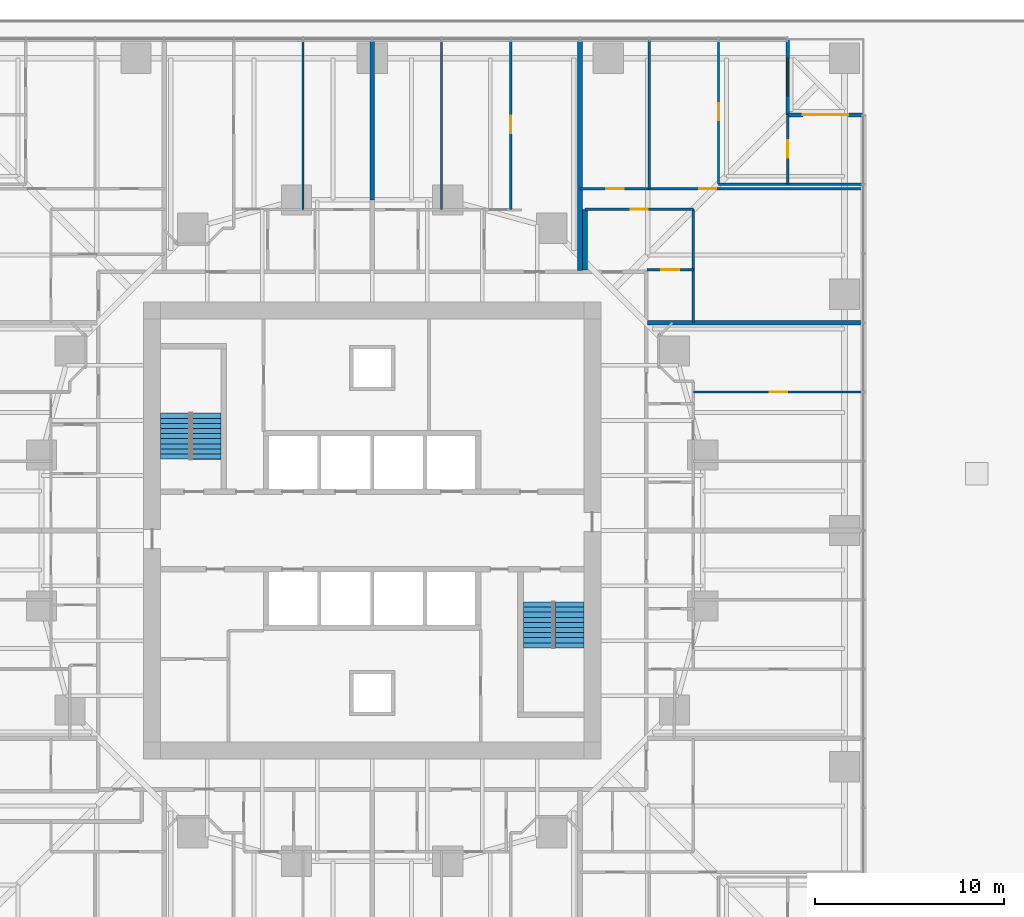
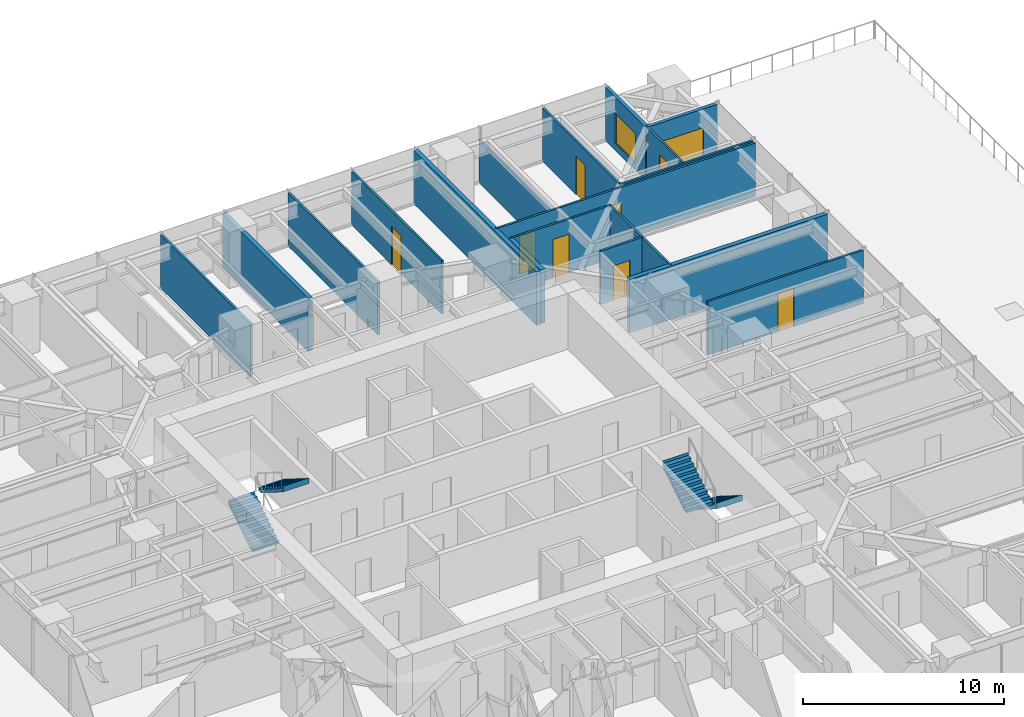
# One storey, part 13 of 15: 18 walls, 9 doors, 4 stair flights, 1 window, 10 openings, 2 elements without a shape of their own.
"""IFC4 building model written with IfcOpenShell, lengths in metres."""

from ifc_helpers import new_model, si_unit, direction, frame, frame_2d, origin, place, context, subcontext, project, spatial, polyline, rectangle, outline, extrude, material, layer, layer_set, type_object, element, fill, aggregate, save


model = new_model("IFC4")

# Units and contexts
model_context = context("Model", 3, precision=1e-05, world=origin(), true_north=direction((0.0, 1.0)))
body_context = subcontext(model_context, "Body", "Model", "MODEL_VIEW")
ifc_project = project(units=[si_unit("LENGTHUNIT", "METRE"), si_unit("AREAUNIT", "SQUARE_METRE"), si_unit("VOLUMEUNIT", "CUBIC_METRE"), si_unit("PLANEANGLEUNIT", "RADIAN"), si_unit("MASSUNIT", "GRAM", prefix="KILO")], contexts=[model_context])

# Site, building, storey
site_placement = place(None, origin())
site = spatial("IfcSite", under=ifc_project, at=site_placement, CompositionType="ELEMENT")
building_placement = place(site_placement, origin())
building = spatial("IfcBuilding", under=site, at=building_placement, Name="Torsade Residences", CompositionType="ELEMENT")
storey_placement = place(building_placement, frame((0.0, 0.0, 15.0)))
storey = spatial("IfcBuildingStorey", under=building, at=storey_placement, Name="L03", CompositionType="ELEMENT", Elevation=15.0)

# Wall, opening, door
ifc_material_1 = material(Name="Plasterboard on steel stud", Category="steel")
ifc_layer_1 = layer(ifc_material_1, 0.1201171875)
ifc_layer_set_1 = layer_set([ifc_layer_1], Name="Plasterboard on steel stud")
wall_type_1 = type_object("IfcWallType", Name="PARTITION 120", PredefinedType="PARTITIONING", material=ifc_layer_set_1)
wall_1_placement = place(storey_placement, frame((65.9599609375, 37.333251953125, 0.0), z_axis=(0.0, 0.0, 1.0), x_axis=(-1.0, 0.0, 0.0)))
wall_1 = element("IfcWall", 1, at=wall_1_placement, inside=storey, type_object=wall_type_1, Name="Partition L03", PredefinedType="PARTITIONING", context=body_context, shape_type="SweptSolid", body=[
    extrude(rectangle(XDim=8.9599609375, YDim=0.1201171875, at=frame_2d((4.47998046875, 0.0))), origin(), (0.0, 0.0, 1.0), 3.25),
])
opening_1_placement = place(wall_1_placement, frame((4.0, 0.0, 0.0)))
opening_1 = element("IfcOpeningElement", 2, at=opening_1_placement, cuts=wall_1, Name="Opening D02", PredefinedType="OPENING", context=body_context, shape_type="SweptSolid", body=[
    extrude(rectangle(XDim=0.919921875, YDim=2.340087890625, at=frame_2d((0.4599609375, 1.169921875))), frame((0.0, 0.070068359375, 0.0), z_axis=(0.0, -1.0, 0.0), x_axis=(1.0, 0.0, 0.0)), (0.0, 0.0, 1.0), 0.14013671875),
])
ifc_material_2 = material(Name="Hollow-core timber door", Category="wood")
door_type_1 = type_object("IfcDoorType", Name="INTERNAL DOOR 920x2340", OperationType="NOTDEFINED", PredefinedType="DOOR", material=ifc_material_2)
door_1_placement = place(opening_1_placement, origin())
door_1 = element("IfcDoor", 3, at=door_1_placement, inside=storey, type_object=door_type_1, Name="Door Bedroom 2 to Bedroom 1", OperationType="SINGLE_SWING_LEFT", OverallHeight=2.340087890625, OverallWidth=0.919921875, PredefinedType="DOOR", context=body_context, shape_type="SweptSolid", body=[
    extrude(rectangle(XDim=0.919921875, YDim=2.340087890625, at=frame_2d((0.4599609375, 1.169921875))), frame((0.0, 0.02490234375, 0.0), z_axis=(0.0, -1.0, 0.0), x_axis=(1.0, 0.0, 0.0)), (0.0, 0.0, 1.0), 0.050048828125),
])
fill(opening_1, door_1)

wall_2_placement = place(storey_placement, frame((57.0, 43.800048828125, 0.0), z_axis=(0.0, 0.0, 1.0), x_axis=(-1.0, 0.0, 0.0)))
wall_2 = element("IfcWall", 4, at=wall_2_placement, inside=storey, type_object=wall_type_1, Name="Partition L03", PredefinedType="PARTITIONING", context=body_context, shape_type="SweptSolid", body=[
    extrude(rectangle(XDim=2.449951171875, YDim=0.1201171875, at=frame_2d((1.22509765625, 0.0))), origin(), (0.0, 0.0, 1.0), 3.25),
])
opening_2_placement = place(wall_2_placement, frame((0.7451171875, 0.0, 0.0)))
opening_2 = element("IfcOpeningElement", 5, at=opening_2_placement, cuts=wall_2, Name="Opening D05", PredefinedType="OPENING", context=body_context, shape_type="SweptSolid", body=[
    extrude(rectangle(XDim=0.9599609375, YDim=2.10009765625, at=frame_2d((0.47998046875, 1.050048828125))), frame((0.0, 0.070068359375, 0.0), z_axis=(0.0, -1.0, 0.0), x_axis=(1.0, 0.0, 0.0)), (0.0, 0.0, 1.0), 0.14013671875),
])
ifc_material_3 = material(Name="Hollow-core timber door in a steel cavity frame", Category="steel")
door_type_2 = type_object("IfcDoorType", Name="BATHROOM CAVITY SLIDING DOOR 960", OperationType="SLIDING_TO_LEFT", PredefinedType="DOOR", material=ifc_material_3)
door_2_placement = place(opening_2_placement, origin())
door_2 = element("IfcDoor", 6, at=door_2_placement, inside=storey, type_object=door_type_2, Name="Door Kitchen and dining to Bathroom", OperationType="SLIDING_TO_LEFT", OverallHeight=2.10009765625, OverallWidth=0.9599609375, PredefinedType="DOOR", context=body_context, shape_type="SweptSolid", body=[
    extrude(rectangle(XDim=0.9599609375, YDim=2.10009765625, at=frame_2d((0.47998046875, 1.050048828125))), frame((0.0, 0.02490234375, 0.0), z_axis=(0.0, -1.0, 0.0), x_axis=(1.0, 0.0, 0.0)), (0.0, 0.0, 1.0), 0.050048828125),
])
fill(opening_2, door_2)

wall_3_placement = place(storey_placement, frame((51.267578125, 47.0, 0.0), z_axis=(0.0, 0.0, 1.0), x_axis=(1.0, 0.0, 0.0)))
wall_3 = element("IfcWall", 7, at=wall_3_placement, inside=storey, type_object=wall_type_1, Name="Partition L03", PredefinedType="PARTITIONING", context=body_context, shape_type="SweptSolid", body=[
    extrude(rectangle(XDim=5.732421875, YDim=0.1201171875, at=frame_2d((2.8662109375, 0.0))), origin(), (0.0, 0.0, 1.0), 3.25),
])
opening_3_placement = place(wall_3_placement, frame((2.40625, 0.0, 0.0)))
opening_3 = element("IfcOpeningElement", 8, at=opening_3_placement, cuts=wall_3, Name="Opening D02", PredefinedType="OPENING", context=body_context, shape_type="SweptSolid", body=[
    extrude(rectangle(XDim=0.919921875, YDim=2.340087890625, at=frame_2d((0.4599609375, 1.169921875))), frame((0.0, 0.070068359375, 0.0), z_axis=(0.0, -1.0, 0.0), x_axis=(1.0, 0.0, 0.0)), (0.0, 0.0, 1.0), 0.14013671875),
])
door_3_placement = place(opening_3_placement, origin())
door_3 = element("IfcDoor", 9, at=door_3_placement, inside=storey, type_object=door_type_1, Name="Door Kitchen and dining to Living room", OperationType="SINGLE_SWING_LEFT", OverallHeight=2.340087890625, OverallWidth=0.919921875, PredefinedType="DOOR", context=body_context, shape_type="SweptSolid", body=[
    extrude(rectangle(XDim=0.919921875, YDim=2.340087890625, at=frame_2d((0.4599609375, 1.169921875))), frame((0.0, 0.02490234375, 0.0), z_axis=(0.0, -1.0, 0.0), x_axis=(1.0, 0.0, 0.0)), (0.0, 0.0, 1.0), 0.050048828125),
])
fill(opening_3, door_3)

# Wall
wall_4_placement = place(storey_placement, frame((57.0, 47.0, 0.0), z_axis=(0.0, 0.0, 1.0), x_axis=(0.0, -1.0, 0.0)))
element("IfcWall", 10, at=wall_4_placement, inside=storey, type_object=wall_type_1, Name="Partition L03", PredefinedType="PARTITIONING", context=body_context, shape_type="SweptSolid", body=[
    extrude(rectangle(XDim=6.0, YDim=0.1201171875, at=frame_2d((3.0, 0.0))), origin(), (0.0, 0.0, 1.0), 3.25),
])

# Wall, openings, doors
wall_5_placement = place(storey_placement, frame((51.0, 48.089111328125, 0.0), z_axis=(0.0, 0.0, 1.0), x_axis=(1.0, 0.0, 0.0)))
wall_5 = element("IfcWall", 11, at=wall_5_placement, inside=storey, type_object=wall_type_1, Name="Partition L03", PredefinedType="PARTITIONING", context=body_context, shape_type="SweptSolid", body=[
    extrude(rectangle(XDim=14.9599609375, YDim=0.1201171875, at=frame_2d((7.47998046875, 0.0))), origin(), (0.0, 0.0, 1.0), 3.25),
])
opening_4_placement = place(wall_5_placement, frame((6.29833984375, 0.0, 0.0)))
opening_4 = element("IfcOpeningElement", 12, at=opening_4_placement, cuts=wall_5, Name="Opening D02", PredefinedType="OPENING", context=body_context, shape_type="SweptSolid", body=[
    extrude(rectangle(XDim=0.919921875, YDim=2.340087890625, at=frame_2d((0.4599609375, 1.169921875))), frame((0.0, 0.070068359375, 0.0), z_axis=(0.0, -1.0, 0.0), x_axis=(1.0, 0.0, 0.0)), (0.0, 0.0, 1.0), 0.14013671875),
])
opening_5_placement = place(wall_5_placement, frame((1.3984375, 0.0, 0.0)))
opening_5 = element("IfcOpeningElement", 13, at=opening_5_placement, cuts=wall_5, Name="Opening D02", PredefinedType="OPENING", context=body_context, shape_type="SweptSolid", body=[
    extrude(rectangle(XDim=0.919921875, YDim=2.340087890625, at=frame_2d((0.4599609375, 1.169921875))), frame((0.0, 0.070068359375, 0.0), z_axis=(0.0, -1.0, 0.0), x_axis=(1.0, 0.0, 0.0)), (0.0, 0.0, 1.0), 0.14013671875),
])
door_4_placement = place(opening_4_placement, origin())
door_4 = element("IfcDoor", 14, at=door_4_placement, inside=storey, type_object=door_type_1, Name="Door Living room to Bedroom 1", OperationType="SINGLE_SWING_LEFT", OverallHeight=2.340087890625, OverallWidth=0.919921875, PredefinedType="DOOR", context=body_context, shape_type="SweptSolid", body=[
    extrude(rectangle(XDim=0.919921875, YDim=2.340087890625, at=frame_2d((0.4599609375, 1.169921875))), frame((0.0, 0.02490234375, 0.0), z_axis=(0.0, -1.0, 0.0), x_axis=(1.0, 0.0, 0.0)), (0.0, 0.0, 1.0), 0.050048828125),
])
fill(opening_4, door_4)
door_5_placement = place(opening_5_placement, origin())
door_5 = element("IfcDoor", 15, at=door_5_placement, inside=storey, type_object=door_type_1, Name="Door Living room to Bedroom 2", OperationType="SINGLE_SWING_LEFT", OverallHeight=2.340087890625, OverallWidth=0.919921875, PredefinedType="DOOR", context=body_context, shape_type="SweptSolid", body=[
    extrude(rectangle(XDim=0.919921875, YDim=2.340087890625, at=frame_2d((0.4599609375, 1.169921875))), frame((0.0, 0.02490234375, 0.0), z_axis=(0.0, -1.0, 0.0), x_axis=(1.0, 0.0, 0.0)), (0.0, 0.0, 1.0), 0.050048828125),
])
fill(opening_5, door_5)

# Wall
wall_6_placement = place(storey_placement, frame((54.666748046875, 48.089111328125, 0.0), z_axis=(0.0, 0.0, 1.0), x_axis=(0.0, 1.0, 0.0)))
element("IfcWall", 16, at=wall_6_placement, inside=storey, type_object=wall_type_1, Name="Partition L03", PredefinedType="PARTITIONING", context=body_context, shape_type="SweptSolid", body=[
    extrude(rectangle(XDim=7.870849609375, YDim=0.1201171875, at=frame_2d((3.935546875, 0.0))), origin(), (0.0, 0.0, 1.0), 2.636962890625),
])

# Wall, opening, door
wall_7_placement = place(storey_placement, frame((58.333251953125, 55.9599609375, 0.0), z_axis=(0.0, 0.0, 1.0), x_axis=(0.0, -1.0, 0.0)))
wall_7 = element("IfcWall", 17, at=wall_7_placement, inside=storey, type_object=wall_type_1, Name="Partition L03", PredefinedType="PARTITIONING", context=body_context, shape_type="SweptSolid", body=[
    extrude(rectangle(XDim=7.626708984375, YDim=0.1201171875, at=frame_2d((3.8134765625, 0.0))), origin(), (0.0, 0.0, 1.0), 3.25),
])
opening_6_placement = place(wall_7_placement, frame((3.333251953125, 0.0, 0.0)))
opening_6 = element("IfcOpeningElement", 18, at=opening_6_placement, cuts=wall_7, Name="Opening D02", PredefinedType="OPENING", context=body_context, shape_type="SweptSolid", body=[
    extrude(rectangle(XDim=0.919921875, YDim=2.340087890625, at=frame_2d((0.4599609375, 1.169921875))), frame((0.0, 0.070068359375, 0.0), z_axis=(0.0, -1.0, 0.0), x_axis=(1.0, 0.0, 0.0)), (0.0, 0.0, 1.0), 0.14013671875),
])
door_6_placement = place(opening_6_placement, origin())
door_6 = element("IfcDoor", 19, at=door_6_placement, inside=storey, type_object=door_type_1, Name="Door Bedroom 1 to Study", OperationType="SINGLE_SWING_RIGHT", OverallHeight=2.340087890625, OverallWidth=0.919921875, PredefinedType="DOOR", context=body_context, shape_type="SweptSolid", body=[
    extrude(rectangle(XDim=0.919921875, YDim=2.340087890625, at=frame_2d((0.4599609375, 1.169921875))), frame((0.0, 0.02490234375, 0.0), z_axis=(0.0, -1.0, 0.0), x_axis=(1.0, 0.0, 0.0)), (0.0, 0.0, 1.0), 0.050048828125),
])
fill(opening_6, door_6)

# Wall
wall_8_placement = place(storey_placement, frame((58.333251953125, 48.333251953125, 0.0), z_axis=(0.0, 0.0, 1.0), x_axis=(1.0, 0.0, 0.0)))
element("IfcWall", 20, at=wall_8_placement, inside=storey, type_object=wall_type_1, Name="Partition L03", PredefinedType="PARTITIONING", context=body_context, shape_type="SweptSolid", body=[
    extrude(rectangle(XDim=7.626708984375, YDim=0.1201171875, at=frame_2d((3.8134765625, 0.0))), origin(), (0.0, 0.0, 1.0), 3.25),
])

# Wall, opening, door
wall_9_placement = place(storey_placement, frame((62.0, 51.9599609375, 0.0), z_axis=(0.0, 0.0, 1.0), x_axis=(0.0, -1.0, 0.0)))
wall_9 = element("IfcWall", 21, at=wall_9_placement, inside=storey, type_object=wall_type_1, Name="Partition L03", PredefinedType="PARTITIONING", context=body_context, shape_type="SweptSolid", body=[
    extrude(rectangle(XDim=3.626708984375, YDim=0.1201171875, at=frame_2d((1.8134765625, 0.0))), origin(), (0.0, 0.0, 1.0), 3.25),
])
opening_7_placement = place(wall_9_placement, frame((1.308349609375, 0.0, 0.0)))
opening_7 = element("IfcOpeningElement", 22, at=opening_7_placement, cuts=wall_9, Name="Opening D02", PredefinedType="OPENING", context=body_context, shape_type="SweptSolid", body=[
    extrude(rectangle(XDim=0.919921875, YDim=2.340087890625, at=frame_2d((0.4599609375, 1.169921875))), frame((0.0, 0.070068359375, 0.0), z_axis=(0.0, -1.0, 0.0), x_axis=(1.0, 0.0, 0.0)), (0.0, 0.0, 1.0), 0.14013671875),
])
door_7_placement = place(opening_7_placement, origin())
door_7 = element("IfcDoor", 23, at=door_7_placement, inside=storey, type_object=door_type_1, Name="Door Study to Family room", OperationType="SINGLE_SWING_RIGHT", OverallHeight=2.340087890625, OverallWidth=0.919921875, PredefinedType="DOOR", context=body_context, shape_type="SweptSolid", body=[
    extrude(rectangle(XDim=0.919921875, YDim=2.340087890625, at=frame_2d((0.4599609375, 1.169921875))), frame((0.0, 0.02490234375, 0.0), z_axis=(0.0, -1.0, 0.0), x_axis=(1.0, 0.0, 0.0)), (0.0, 0.0, 1.0), 0.050048828125),
])
fill(opening_7, door_7)

wall_10_placement = place(storey_placement, frame((47.333251953125, 47.0, 0.0), z_axis=(0.0, 0.0, 1.0), x_axis=(0.0, 1.0, 0.0)))
wall_10 = element("IfcWall", 24, at=wall_10_placement, inside=storey, type_object=wall_type_1, Name="Partition L03", PredefinedType="PARTITIONING", context=body_context, shape_type="SweptSolid", body=[
    extrude(rectangle(XDim=8.9599609375, YDim=0.1201171875, at=frame_2d((4.47998046875, 0.0))), origin(), (0.0, 0.0, 1.0), 3.25),
])
opening_8_placement = place(wall_10_placement, frame((4.0400390625, 0.0, 0.0)))
opening_8 = element("IfcOpeningElement", 25, at=opening_8_placement, cuts=wall_10, Name="Opening D02", PredefinedType="OPENING", context=body_context, shape_type="SweptSolid", body=[
    extrude(rectangle(XDim=0.919921875, YDim=2.340087890625, at=frame_2d((0.4599609375, 1.169921875))), frame((0.0, 0.070068359375, 0.0), z_axis=(0.0, -1.0, 0.0), x_axis=(1.0, 0.0, 0.0)), (0.0, 0.0, 1.0), 0.14013671875),
])
door_8_placement = place(opening_8_placement, origin())
door_8 = element("IfcDoor", 26, at=door_8_placement, inside=storey, type_object=door_type_1, Name="Door Bedroom 2 to Living room", OperationType="SINGLE_SWING_LEFT", OverallHeight=2.340087890625, OverallWidth=0.919921875, PredefinedType="DOOR", context=body_context, shape_type="SweptSolid", body=[
    extrude(rectangle(XDim=0.919921875, YDim=2.340087890625, at=frame_2d((0.4599609375, 1.169921875))), frame((0.0, 0.02490234375, 0.0), z_axis=(0.0, -1.0, 0.0), x_axis=(1.0, 0.0, 0.0)), (0.0, 0.0, 1.0), 0.050048828125),
])
fill(opening_8, door_8)

# Walls
for number, where, z_axis, x_axis, name in (
    (27, (43.666748046875, 55.9599609375, 0.0), (0.0, 0.0, 1.0), (0.0, -1.0, 0.0), "Partition L03"),
    (28, (36.333251953125, 47.0, 0.0), (0.0, 0.0, 1.0), (0.0, 1.0, 0.0), "Partition L03"),
):
    element("IfcWall", number, at=place(storey_placement, frame(where, z_axis=z_axis, x_axis=x_axis)), inside=storey, type_object=wall_type_1, Name=name, PredefinedType="PARTITIONING", context=body_context, shape_type="SweptSolid", body=[
        extrude(rectangle(XDim=8.9599609375, YDim=0.1201171875, at=frame_2d((4.47998046875, 0.0))), origin(), (0.0, 0.0, 1.0), 3.25),
    ])
ifc_material_4 = material(Name="Masonry-lined stud party wall", Category="masonry")
ifc_layer_2 = layer(ifc_material_4, 0.25)
ifc_layer_set_2 = layer_set([ifc_layer_2], Name="Masonry-lined stud party wall")
wall_type_2 = type_object("IfcWallType", Name="PARTY WALL 250", PredefinedType="PARTITIONING", material=ifc_layer_set_2)
wall_11_placement = place(storey_placement, frame((66.0, 41.0, 0.0), z_axis=(0.0, 0.0, 1.0), x_axis=(-1.0, 0.0, 0.0)))
element("IfcWall", 29, at=wall_11_placement, inside=storey, type_object=wall_type_2, Name="Party wall L03", PredefinedType="PARTITIONING", context=body_context, shape_type="SweptSolid", body=[
    extrude(rectangle(XDim=11.43994140625, YDim=0.25, at=frame_2d((5.719970703125, 0.0))), origin(), (0.0, 0.0, 1.0), 3.25),
])
wall_12_placement = place(storey_placement, frame((51.0, 56.0, 0.0), z_axis=(0.0, 0.0, 1.0), x_axis=(0.0, -1.0, 0.0)))
element("IfcWall", 30, at=wall_12_placement, inside=storey, type_object=wall_type_2, Name="Party wall L03", PredefinedType="PARTITIONING", context=body_context, shape_type="SweptSolid", body=[
    extrude(rectangle(XDim=12.239990234375, YDim=0.25, at=frame_2d((6.1201171875, 0.0))), origin(), (0.0, 0.0, 1.0), 3.25),
])
wall_13_placement = place(storey_placement, frame((40.0, 56.0, 0.0), z_axis=(0.0, 0.0, 1.0), x_axis=(0.0, -1.0, 0.0)))
element("IfcWall", 31, at=wall_13_placement, inside=storey, type_object=wall_type_2, Name="Party wall L03", PredefinedType="PARTITIONING", context=body_context, shape_type="SweptSolid", body=[
    extrude(rectangle(XDim=8.5, YDim=0.25, at=frame_2d((4.25, 0.0))), origin(), (0.0, 0.0, 1.0), 3.25),
])
wall_14_placement = place(storey_placement, frame((51.267578125, 43.800048828125, 0.0), z_axis=(0.0, 0.0, 1.0), x_axis=(0.0, 1.0, 0.0)))
element("IfcWall", 32, at=wall_14_placement, inside=storey, type_object=wall_type_2, Name="Party wall L03", PredefinedType="PARTITIONING", context=body_context, shape_type="SweptSolid", body=[
    extrude(rectangle(XDim=3.199951171875, YDim=0.25, at=frame_2d((1.60009765625, 0.0))), origin(), (0.0, 0.0, 1.0), 3.25),
])

# Wall, opening, door
ifc_material_5 = material(Name="Stone-faced precast concrete 40 MPa panel", Category="masonry")
ifc_layer_3 = layer(ifc_material_5, 0.199951171875)
ifc_layer_set_3 = layer_set([ifc_layer_3], Name="Stone-faced precast concrete 40 MPa panel")
wall_type_3 = type_object("IfcWallType", Name="TERRACE WALL 200", PredefinedType="SOLIDWALL", material=ifc_layer_set_3)
wall_15_placement = place(storey_placement, frame((66.0, 52.0, 0.0), z_axis=(0.0, 0.0, 1.0), x_axis=(-1.0, 0.0, 0.0)))
wall_15 = element("IfcWall", 33, at=wall_15_placement, inside=storey, type_object=wall_type_3, Name="Terrace wall L03 5", PredefinedType="SOLIDWALL", context=body_context, shape_type="SweptSolid", body=[
    extrude(rectangle(XDim=4.0, YDim=0.199951171875, at=frame_2d((2.0, 0.0))), origin(), (0.0, 0.0, 1.0), 3.25),
])
opening_9_placement = place(wall_15_placement, frame((0.800048828125, 0.0, 0.0)))
opening_9 = element("IfcOpeningElement", 34, at=opening_9_placement, cuts=wall_15, Name="Opening D10A", PredefinedType="OPENING", context=body_context, shape_type="SweptSolid", body=[
    extrude(rectangle(XDim=2.39990234375, YDim=2.10009765625, at=frame_2d((1.199951171875, 1.050048828125))), frame((0.0, 0.10986328125, 0.0), z_axis=(0.0, -1.0, 0.0), x_axis=(1.0, 0.0, 0.0)), (0.0, 0.0, 1.0), 0.219970703125),
])
ifc_material_6 = material(Name="Aluminium-framed glass door", Category="aluminium")
door_type_3 = type_object("IfcDoorType", Name="TERRACE SLIDING DOOR 2400x2100", OperationType="SLIDING_TO_LEFT", PredefinedType="DOOR", material=ifc_material_6)
door_9_placement = place(opening_9_placement, origin())
door_9 = element("IfcDoor", 35, at=door_9_placement, inside=storey, type_object=door_type_3, Name="Terrace door L03 5", OperationType="SLIDING_TO_LEFT", OverallHeight=2.10009765625, OverallWidth=2.39990234375, PredefinedType="DOOR", context=body_context, shape_type="SweptSolid", body=[
    extrude(rectangle(XDim=2.39990234375, YDim=2.10009765625, at=frame_2d((1.199951171875, 1.050048828125))), frame((0.0, 0.02490234375, 0.0), z_axis=(0.0, -1.0, 0.0), x_axis=(1.0, 0.0, 0.0)), (0.0, 0.0, 1.0), 0.050048828125),
])
fill(opening_9, door_9)

# Wall, opening, window
wall_16_placement = place(storey_placement, frame((62.0, 52.0, 0.0), z_axis=(0.0, 0.0, 1.0), x_axis=(0.0, 1.0, 0.0)))
wall_16 = element("IfcWall", 36, at=wall_16_placement, inside=storey, type_object=wall_type_3, Name="Terrace wall L03 6", PredefinedType="SOLIDWALL", context=body_context, shape_type="SweptSolid", body=[
    extrude(rectangle(XDim=4.0, YDim=0.199951171875, at=frame_2d((2.0, 0.0))), origin(), (0.0, 0.0, 1.0), 3.25),
])
opening_10_placement = place(wall_16_placement, frame((1.0, 0.0, 0.449951171875)))
opening_10 = element("IfcOpeningElement", 37, at=opening_10_placement, cuts=wall_16, Name="Opening W1B", PredefinedType="OPENING", context=body_context, shape_type="SweptSolid", body=[
    extrude(rectangle(XDim=2.0, YDim=1.800048828125, at=frame_2d((1.0, 0.89990234375))), frame((0.0, 0.10986328125, 0.0), z_axis=(0.0, -1.0, 0.0), x_axis=(1.0, 0.0, 0.0)), (0.0, 0.0, 1.0), 0.219970703125),
])
ifc_material_7 = material(Name="Aluminium-framed glass window", Category="aluminium")
window_type = type_object("IfcWindowType", Name="TERRACE WINDOW 2000x1800", PartitioningType="SINGLE_PANEL", PredefinedType="WINDOW", material=ifc_material_7)
window_placement = place(opening_10_placement, origin())
window = element("IfcWindow", 38, at=window_placement, inside=storey, type_object=window_type, Name="Terrace window L03 6", OverallHeight=1.800048828125, OverallWidth=2.0, PartitioningType="SINGLE_PANEL", PredefinedType="WINDOW", context=body_context, shape_type="SweptSolid", body=[
    extrude(rectangle(XDim=2.0, YDim=1.800048828125, at=frame_2d((1.0, 0.89990234375))), frame((0.0, 0.030029296875, 0.0), z_axis=(0.0, -1.0, 0.0), x_axis=(1.0, 0.0, 0.0)), (0.0, 0.0, 1.0), 0.06005859375),
])
fill(opening_10, window)

# Stair, stair flights
ifc_material_8 = material(Name="Precast concrete 40 MPa", Category="concrete")
stair_type = type_object("IfcStairType", Name="HALF-TURN FIRE STAIR 1500x3400", PredefinedType="HALF_TURN_STAIR", material=ifc_material_8)
stair_1_placement = place(storey_placement, origin())
stair_1 = element("IfcStair", 39, at=stair_1_placement, inside=storey, type_object=stair_type, Name="Stair ST1 L03", PredefinedType="HALF_TURN_STAIR")
ifc_material_9 = material(Name="Precast concrete 40 MPa", Category="concrete")
stair_flight_type = type_object("IfcStairFlightType", Name="PRECAST STAIR FLIGHT 1500x1700", PredefinedType="STRAIGHT", material=ifc_material_9)
stair_flight_1_placement = place(storey_placement, frame((29.550048828125, 33.780029296875, 0.0), z_axis=(0.0, 0.0, 1.0), x_axis=(0.0, 1.0, 0.0)))
stair_flight_1 = element("IfcStairFlight", 40, at=stair_flight_1_placement, type_object=stair_flight_type, Name="ST1 flight 1", NumberOfRisers=10, NumberOfTreads=9, PredefinedType="STRAIGHT", RiserHeight=0.17, TreadLength=0.27, context=body_context, shape_type="SweptSolid", body=[
    extrude(outline(polyline([(0.0, 0.0), (0.0, 0.169921875), (0.27001953125, 0.169921875), (0.27001953125, 0.340087890625), (0.5400390625, 0.340087890625), (0.5400390625, 0.510009765625), (0.81005859375, 0.510009765625), (0.81005859375, 0.679931640625), (1.080078125, 0.679931640625), (1.080078125, 0.85009765625), (1.35009765625, 0.85009765625), (1.35009765625, 1.02001953125), (1.6201171875, 1.02001953125), (1.6201171875, 1.18994140625), (1.889892578125, 1.18994140625), (1.889892578125, 1.360107421875), (2.159912109375, 1.360107421875), (2.159912109375, 1.530029296875), (2.429931640625, 1.530029296875), (2.429931640625, 1.699951171875), (2.43994140625, 1.699951171875), (2.43994140625, 1.352783203125), (2.429931640625, 1.352783203125), (0.28125, 0.0), (0.0, 0.0)])), frame((0.0, 0.75, 0.0), z_axis=(0.0, -1.0, 0.0), x_axis=(1.0, 0.0, 0.0)), (0.0, 0.0, 1.0), 1.5),
])
stair_flight_2_placement = place(storey_placement, frame((31.25, 36.2099609375, 1.699951171875), z_axis=(0.0, 0.0, 1.0), x_axis=(0.0, -1.0, 0.0)))
stair_flight_2 = element("IfcStairFlight", 41, at=stair_flight_2_placement, type_object=stair_flight_type, Name="ST1 flight 2", NumberOfRisers=10, NumberOfTreads=9, PredefinedType="STRAIGHT", RiserHeight=0.17, TreadLength=0.27, context=body_context, shape_type="SweptSolid", body=[
    extrude(outline(polyline([(0.0, 0.0), (0.0, 0.169921875), (0.27001953125, 0.169921875), (0.27001953125, 0.340087890625), (0.5400390625, 0.340087890625), (0.5400390625, 0.510009765625), (0.81005859375, 0.510009765625), (0.81005859375, 0.679931640625), (1.080078125, 0.679931640625), (1.080078125, 0.85009765625), (1.35009765625, 0.85009765625), (1.35009765625, 1.02001953125), (1.6201171875, 1.02001953125), (1.6201171875, 1.18994140625), (1.889892578125, 1.18994140625), (1.889892578125, 1.360107421875), (2.159912109375, 1.360107421875), (2.159912109375, 1.530029296875), (2.429931640625, 1.530029296875), (2.429931640625, 1.699951171875), (2.43994140625, 1.699951171875), (2.43994140625, 1.352783203125), (2.429931640625, 1.352783203125), (0.28125, 0.0), (0.0, 0.0)])), frame((0.0, 0.75, 0.0), z_axis=(0.0, -1.0, 0.0), x_axis=(1.0, 0.0, 0.0)), (0.0, 0.0, 1.0), 1.5),
])
aggregate(stair_1, [stair_flight_1, stair_flight_2])

stair_2_placement = place(storey_placement, origin())
stair_2 = element("IfcStair", 42, at=stair_2_placement, inside=storey, type_object=stair_type, Name="Stair ST2 L03", PredefinedType="HALF_TURN_STAIR")
stair_flight_3_placement = place(storey_placement, frame((50.449951171875, 26.219970703125, 0.0), z_axis=(0.0, 0.0, 1.0), x_axis=(0.0, -1.0, 0.0)))
stair_flight_3 = element("IfcStairFlight", 43, at=stair_flight_3_placement, type_object=stair_flight_type, Name="ST2 flight 1", NumberOfRisers=10, NumberOfTreads=9, PredefinedType="STRAIGHT", RiserHeight=0.17, TreadLength=0.27, context=body_context, shape_type="SweptSolid", body=[
    extrude(outline(polyline([(0.0, 0.0), (0.0, 0.169921875), (0.27001953125, 0.169921875), (0.27001953125, 0.340087890625), (0.5400390625, 0.340087890625), (0.5400390625, 0.510009765625), (0.81005859375, 0.510009765625), (0.81005859375, 0.679931640625), (1.080078125, 0.679931640625), (1.080078125, 0.85009765625), (1.35009765625, 0.85009765625), (1.35009765625, 1.02001953125), (1.6201171875, 1.02001953125), (1.6201171875, 1.18994140625), (1.889892578125, 1.18994140625), (1.889892578125, 1.360107421875), (2.159912109375, 1.360107421875), (2.159912109375, 1.530029296875), (2.429931640625, 1.530029296875), (2.429931640625, 1.699951171875), (2.43994140625, 1.699951171875), (2.43994140625, 1.352783203125), (2.429931640625, 1.352783203125), (0.28125, 0.0), (0.0, 0.0)])), frame((0.0, 0.75, 0.0), z_axis=(0.0, -1.0, 0.0), x_axis=(1.0, 0.0, 0.0)), (0.0, 0.0, 1.0), 1.5),
])
stair_flight_4_placement = place(storey_placement, frame((48.75, 23.7900390625, 1.699951171875), z_axis=(0.0, 0.0, 1.0), x_axis=(0.0, 1.0, 0.0)))
stair_flight_4 = element("IfcStairFlight", 44, at=stair_flight_4_placement, type_object=stair_flight_type, Name="ST2 flight 2", NumberOfRisers=10, NumberOfTreads=9, PredefinedType="STRAIGHT", RiserHeight=0.17, TreadLength=0.27, context=body_context, shape_type="SweptSolid", body=[
    extrude(outline(polyline([(0.0, 0.0), (0.0, 0.169921875), (0.27001953125, 0.169921875), (0.27001953125, 0.340087890625), (0.5400390625, 0.340087890625), (0.5400390625, 0.510009765625), (0.81005859375, 0.510009765625), (0.81005859375, 0.679931640625), (1.080078125, 0.679931640625), (1.080078125, 0.85009765625), (1.35009765625, 0.85009765625), (1.35009765625, 1.02001953125), (1.6201171875, 1.02001953125), (1.6201171875, 1.18994140625), (1.889892578125, 1.18994140625), (1.889892578125, 1.360107421875), (2.159912109375, 1.360107421875), (2.159912109375, 1.530029296875), (2.429931640625, 1.530029296875), (2.429931640625, 1.699951171875), (2.43994140625, 1.699951171875), (2.43994140625, 1.352783203125), (2.429931640625, 1.352783203125), (0.28125, 0.0), (0.0, 0.0)])), frame((0.0, 0.75, 0.0), z_axis=(0.0, -1.0, 0.0), x_axis=(1.0, 0.0, 0.0)), (0.0, 0.0, 1.0), 1.5),
])
aggregate(stair_2, [stair_flight_3, stair_flight_4])

save(model, "model.ifc")
